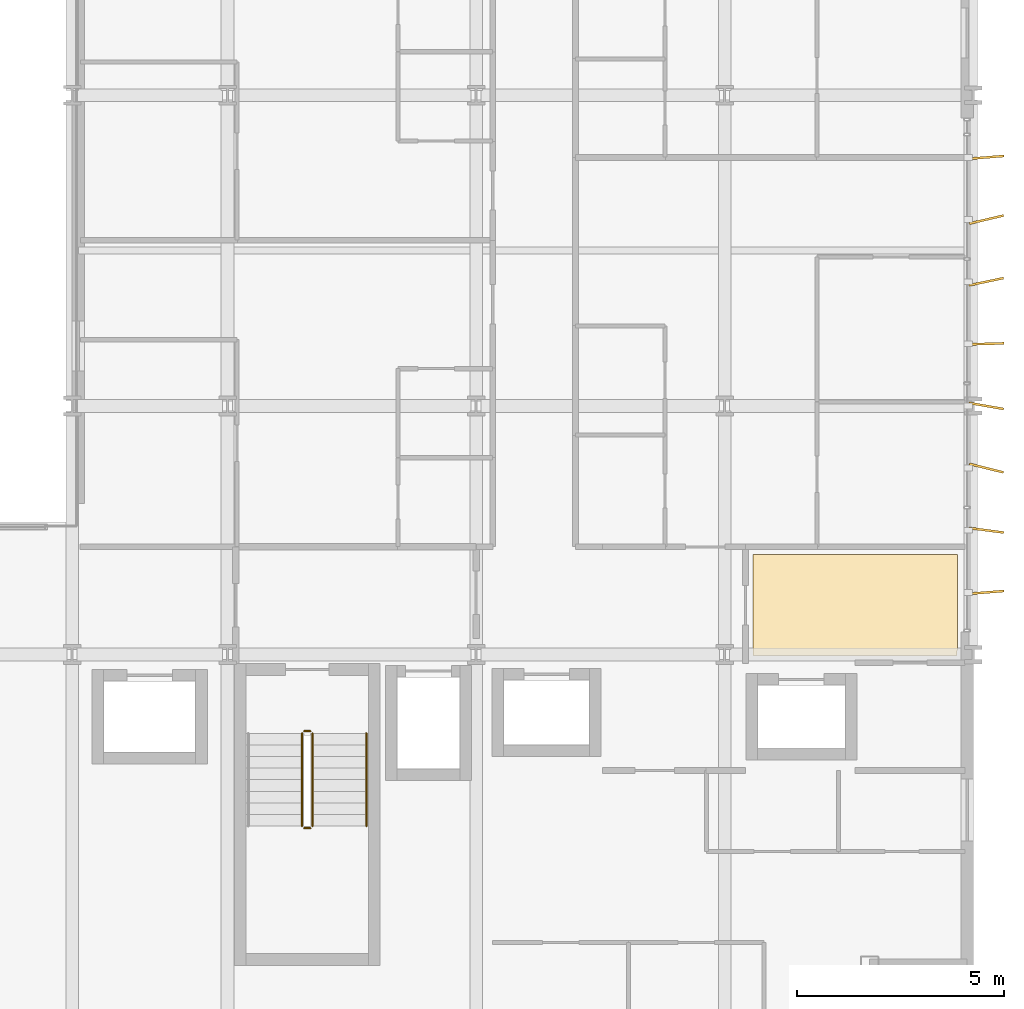
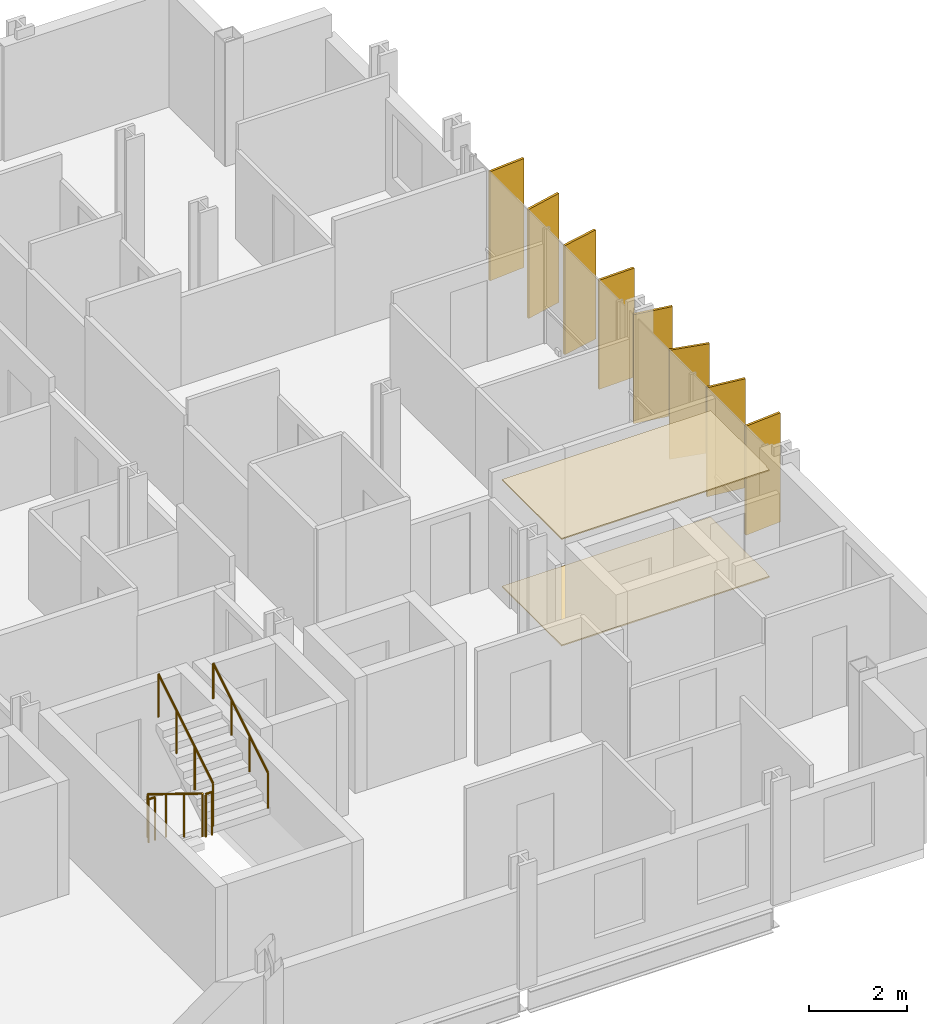
# One storey, part 37 of 38: 8 shading devices, 5 railings, 2 coverings.
"""IFC4 building model written with IfcOpenShell, lengths in metres."""

from ifc_helpers import new_model, si_unit, direction, frame, origin, origin_2d, place, context, subcontext, project, spatial, polyline, rectangle, circle, outline, extrude, material, layer, layer_set, type_object, element, save


model = new_model("IFC4")

# Units and contexts
model_context = context("Model", 3, precision=1e-05, world=origin(), true_north=direction((0.0, 1.0)))
body_context = subcontext(model_context, "Body", "Model", "MODEL_VIEW")
ifc_project = project(units=[si_unit("LENGTHUNIT", "METRE"), si_unit("AREAUNIT", "SQUARE_METRE"), si_unit("VOLUMEUNIT", "CUBIC_METRE"), si_unit("PLANEANGLEUNIT", "RADIAN"), si_unit("MASSUNIT", "GRAM", prefix="KILO")], contexts=[model_context])

# Site, building, storey
site_placement = place(None, origin())
site = spatial("IfcSite", under=ifc_project, at=site_placement, CompositionType="ELEMENT")
building_placement = place(site_placement, origin())
building = spatial("IfcBuilding", under=site, at=building_placement, Name="Brevholm Reach", CompositionType="ELEMENT")
storey_placement = place(building_placement, frame((0.0, 0.0, 59.0)))
storey = spatial("IfcBuildingStorey", under=building, at=storey_placement, Name="L16", CompositionType="ELEMENT", Elevation=59.0)

# Coverings
ifc_material_1 = material(Name="Moisture-Resistant Skimmed Gypsum Plasterboard Ceiling", Category="gypsum")
ifc_layer_1 = layer(ifc_material_1, 0.030029296875)
ifc_layer_set_1 = layer_set([ifc_layer_1], Name="Moisture-Resistant Skimmed Gypsum Plasterboard Ceiling")
covering_type_1 = type_object("IfcCoveringType", Name="COV-CLG-GYP", PredefinedType="CEILING", material=ifc_layer_set_1)
covering_1_placement = place(storey_placement, frame((0.0, 0.0, 2.669921875)))
element("IfcCovering", 1, at=covering_1_placement, inside=storey, type_object=covering_type_1, Name="L16 Suspended Ceiling L16-31", PredefinedType="CEILING", context=body_context, shape_type="SweptSolid", body=[
    extrude(outline(polyline([(59.6201171875, 12.419921875), (59.6201171875, 10.123779296875), (59.6171875, 10.1162109375), (59.607666015625, 10.077880859375), (59.601806640625, 10.039306640625), (59.60009765625, 10.0), (59.60107421875, 9.97998046875), (54.68408203125, 9.97998046875), (54.68408203125, 12.419921875), (59.6201171875, 12.419921875)])), origin(), (0.0, 0.0, 1.0), 0.030029296875),
])
ifc_material_2 = material(Name="Honed Portland-Aggregate Resin Terrazzo Flooring", Category="concrete")
ifc_layer_2 = layer(ifc_material_2, 0.031982421875)
ifc_layer_set_2 = layer_set([ifc_layer_2], Name="Honed Portland-Aggregate Resin Terrazzo Flooring")
covering_type_2 = type_object("IfcCoveringType", Name="COV-FLR-TRZ", PredefinedType="FLOORING", material=ifc_layer_set_2)
covering_2_placement = place(storey_placement, origin())
element("IfcCovering", 2, at=covering_2_placement, inside=storey, type_object=covering_type_2, Name="L16 Floor Finish L16-31", PredefinedType="FLOORING", context=body_context, shape_type="SweptSolid", body=[
    extrude(outline(polyline([(59.6201171875, 12.419921875), (59.6201171875, 10.123779296875), (59.6171875, 10.1162109375), (59.607666015625, 10.077880859375), (59.601806640625, 10.039306640625), (59.60009765625, 10.0), (59.60107421875, 9.97998046875), (54.68408203125, 9.97998046875), (54.68408203125, 12.419921875), (59.6201171875, 12.419921875)])), origin(), (0.0, 0.0, 1.0), 0.031982421875),
])

# Railings
ifc_material_3 = material(Name="Brushed Stainless Steel EN 1.4401 Continuous Handrail", Category="steel")
railing_type_1 = type_object("IfcRailingType", Name="RAL-HND-950", PredefinedType="HANDRAIL", material=ifc_material_3)
railing_1_placement = place(storey_placement, frame((45.35009765625, 5.860107421875, 1.72216796875)))
element("IfcRailing", 3, at=railing_1_placement, inside=storey, type_object=railing_type_1, Name="L16 ST-2 stair handrail 2", PredefinedType="HANDRAIL", context=body_context, shape_type="SweptSolid", body=[
    extrude(circle(Radius=0.02392578125, at=origin_2d()), frame((0.0, 0.0, 0.8857421875), z_axis=(0.0, 0.851747552033, 0.523952390591), x_axis=(-1.0, 0.0, 0.0)), (0.0, 0.0, 1.0), 2.6298828125),
    extrude(circle(Radius=0.02099609375, at=origin_2d()), origin(), (0.0, 0.0, 1.0), 0.86181640625),
    extrude(circle(Radius=0.02099609375, at=origin_2d()), frame((0.0, 0.74658203125, 0.459228515625)), (0.0, 0.0, 1.0), 0.86181640625),
    extrude(circle(Radius=0.02099609375, at=origin_2d()), frame((0.0, 1.493408203125, 0.918701171875)), (0.0, 0.0, 1.0), 0.86181640625),
    extrude(circle(Radius=0.02099609375, at=origin_2d()), frame((0.0, 2.239990234375, 1.3779296875)), (0.0, 0.0, 1.0), 0.86181640625),
])
ifc_material_4 = material(Name="Painted Tubular Galvanised Steel S275JR Stair Guard", Category="steel")
railing_type_2 = type_object("IfcRailingType", Name="RAL-STG-1120", PredefinedType="BALUSTRADE", material=ifc_material_4)
railing_2_placement = place(storey_placement, frame((43.800048828125, 8.10009765625, 0.172119140625)))
element("IfcRailing", 4, at=railing_2_placement, inside=storey, type_object=railing_type_2, Name="L16 ST-2 stair guard 1", PredefinedType="BALUSTRADE", context=body_context, shape_type="SweptSolid", body=[
    extrude(circle(Radius=0.02392578125, at=origin_2d()), frame((0.0, 0.0, 1.076171875), z_axis=(0.0, -0.851747552033, 0.523952390591), x_axis=(1.0, 0.0, 0.0)), (0.0, 0.0, 1.0), 2.6298828125),
    extrude(circle(Radius=0.02099609375, at=origin_2d()), origin(), (0.0, 0.0, 1.0), 1.052001953125),
    extrude(circle(Radius=0.02099609375, at=origin_2d()), frame((0.0, -0.74658203125, 0.459228515625)), (0.0, 0.0, 1.0), 1.052001953125),
    extrude(circle(Radius=0.02099609375, at=origin_2d()), frame((0.0, -1.493408203125, 0.918701171875)), (0.0, 0.0, 1.0), 1.052001953125),
    extrude(circle(Radius=0.02099609375, at=origin_2d()), frame((0.0, -2.239990234375, 1.3779296875)), (0.0, 0.0, 1.0), 1.052001953125),
])
railing_3_placement = place(storey_placement, frame((43.85009765625, 5.81005859375, 1.550048828125)))
element("IfcRailing", 5, at=railing_3_placement, inside=storey, type_object=railing_type_2, Name="L16 ST-2 stair guard 2", PredefinedType="BALUSTRADE", context=body_context, shape_type="SweptSolid", body=[
    extrude(circle(Radius=0.02392578125, at=origin_2d()), frame((0.0, 0.0, 1.076171875), z_axis=(1.0, 0.0, 0.0), x_axis=(0.0, 1.0, 0.0)), (0.0, 0.0, 1.0), 0.14990234375),
    extrude(circle(Radius=0.02099609375, at=origin_2d()), origin(), (0.0, 0.0, 1.0), 1.052001953125),
    extrude(circle(Radius=0.02099609375, at=origin_2d()), frame((0.14990234375, 0.0, 0.0)), (0.0, 0.0, 1.0), 1.052001953125),
])
railing_4_placement = place(storey_placement, frame((44.050048828125, 5.860107421875, 1.72216796875)))
element("IfcRailing", 6, at=railing_4_placement, inside=storey, type_object=railing_type_2, Name="L16 ST-2 stair guard 3", PredefinedType="BALUSTRADE", context=body_context, shape_type="SweptSolid", body=[
    extrude(circle(Radius=0.02392578125, at=origin_2d()), frame((0.0, 0.0, 1.076171875), z_axis=(0.0, 0.851747552033, 0.523952390591), x_axis=(-1.0, 0.0, 0.0)), (0.0, 0.0, 1.0), 2.6298828125),
    extrude(circle(Radius=0.02099609375, at=origin_2d()), origin(), (0.0, 0.0, 1.0), 1.052001953125),
    extrude(circle(Radius=0.02099609375, at=origin_2d()), frame((0.0, 0.74658203125, 0.459228515625)), (0.0, 0.0, 1.0), 1.052001953125),
    extrude(circle(Radius=0.02099609375, at=origin_2d()), frame((0.0, 1.493408203125, 0.918701171875)), (0.0, 0.0, 1.0), 1.052001953125),
    extrude(circle(Radius=0.02099609375, at=origin_2d()), frame((0.0, 2.239990234375, 1.3779296875)), (0.0, 0.0, 1.0), 1.052001953125),
])
railing_5_placement = place(storey_placement, frame((43.85009765625, 8.14990234375, 0.0)))
element("IfcRailing", 7, at=railing_5_placement, inside=storey, type_object=railing_type_2, Name="L16 ST-2 stair guard 4", PredefinedType="BALUSTRADE", context=body_context, shape_type="SweptSolid", body=[
    extrude(circle(Radius=0.02392578125, at=origin_2d()), frame((0.0, 0.0, 1.076171875), z_axis=(1.0, 0.0, 0.0), x_axis=(0.0, 1.0, 0.0)), (0.0, 0.0, 1.0), 0.14990234375),
    extrude(circle(Radius=0.02099609375, at=origin_2d()), origin(), (0.0, 0.0, 1.0), 1.052001953125),
    extrude(circle(Radius=0.02099609375, at=origin_2d()), frame((0.14990234375, 0.0, 0.0)), (0.0, 0.0, 1.0), 1.052001953125),
])

# Shading devices
ifc_material_5 = material(Name="Perforated Champagne-Bronze Anodised Aluminium", Category="aluminium")
ifc_layer_3 = layer(ifc_material_5, 0.054931640625)
ifc_layer_set_3 = layer_set([ifc_layer_3], Name="Perforated Champagne-Bronze Anodised Aluminium")
shading_device_type = type_object("IfcShadingDeviceType", Name="SHD-FIN-850", PredefinedType="USERDEFINED", material=ifc_layer_set_3)
for number, where, z_axis, x_axis, name in (
    (8, (60.31494140625, 11.5, 0.070068359375), (0.0, 0.0, 1.0), (0.996808205945, 0.07983358041, 0.0), "L16 Perforated Solar Screen Fin 1"),
    (9, (60.31494140625, 13.0, 0.070068359375), (0.0, 0.0, 1.0), (0.991469902332, -0.130335846067, 0.0), "L16 Perforated Solar Screen Fin 2"),
    (10, (60.31494140625, 14.5, 0.070068359375), (0.0, 0.0, 1.0), (0.970645161756, -0.240516049277, 0.0), "L16 Perforated Solar Screen Fin 3"),
    (11, (60.31494140625, 16.0, 0.070068359375), (0.0, 0.0, 1.0), (0.985211177484, -0.1713444944, 0.0), "L16 Perforated Solar Screen Fin 4"),
    (12, (60.31494140625, 17.5, 0.070068359375), (0.0, 0.0, 1.0), (0.999602770916, 0.02818333508, 0.0), "L16 Perforated Solar Screen Fin 5"),
    (13, (60.31494140625, 19.0, 0.070068359375), (0.0, 0.0, 1.0), (0.978584497157, 0.20584552928, 0.0), "L16 Perforated Solar Screen Fin 6"),
    (14, (60.31494140625, 20.5, 0.070068359375), (0.0, 0.0, 1.0), (0.973582888199, 0.228333877918, 0.0), "L16 Perforated Solar Screen Fin 7"),
    (15, (60.31494140625, 22.0, 0.070068359375), (0.0, 0.0, 1.0), (0.996808205945, 0.07983358041, 0.0), "L16 Perforated Solar Screen Fin 8"),
):
    element("IfcShadingDevice", number, at=place(storey_placement, frame(where, z_axis=z_axis, x_axis=x_axis)), inside=storey, type_object=shading_device_type, Name=name, ObjectType="SCREEN", PredefinedType="USERDEFINED", context=body_context, shape_type="SweptSolid", body=[
        extrude(rectangle(XDim=0.85009765625, YDim=0.054931640625, at=origin_2d()), origin(), (0.0, 0.0, 1.0), 2.72998046875),
    ])

save(model, "model.ifc")
